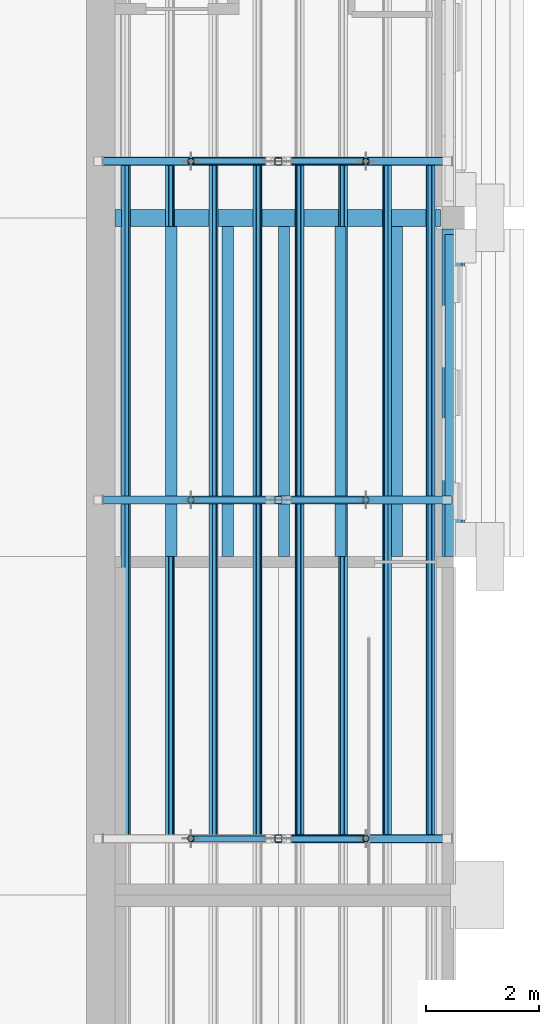
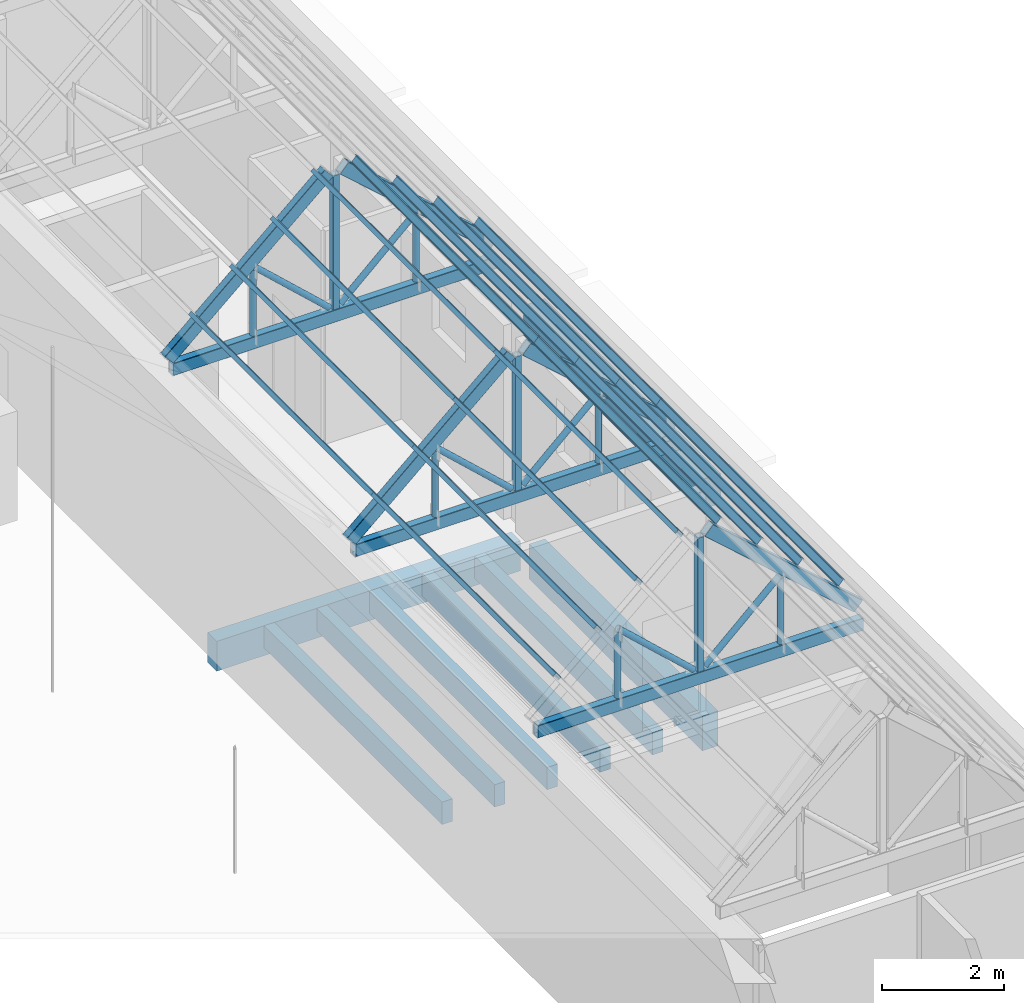
# One storey, part 44 of 118: 39 members, 8 beams.
"""IFC4 building model written with IfcOpenShell, lengths in metres."""

from ifc_helpers import new_model, si_unit, direction, frame, origin, origin_2d, place, context, subcontext, project, spatial, rectangle, hollow_rectangle, hollow_circle, i_section, extrude, material, material_profile, profile_set, type_object, element, save


model = new_model("IFC4")

# Units and contexts
model_context = context("Model", 3, precision=1e-05, world=origin(), true_north=direction((0.0, 1.0)))
body_context = subcontext(model_context, "Body", "Model", "MODEL_VIEW")
ifc_project = project(units=[si_unit("LENGTHUNIT", "METRE"), si_unit("AREAUNIT", "SQUARE_METRE"), si_unit("VOLUMEUNIT", "CUBIC_METRE"), si_unit("PLANEANGLEUNIT", "RADIAN"), si_unit("MASSUNIT", "GRAM", prefix="KILO")], contexts=[model_context])

# Site, building, storey
site_placement = place(None, origin())
site = spatial("IfcSite", under=ifc_project, at=site_placement, CompositionType="ELEMENT")
building_placement = place(site_placement, origin())
building = spatial("IfcBuilding", under=site, at=building_placement, Name="Saffron Lane Theatres", CompositionType="ELEMENT")
storey_placement = place(building_placement, frame((0.0, 0.0, 16.5)))
storey = spatial("IfcBuildingStorey", under=building, at=storey_placement, Name="L03", CompositionType="ELEMENT", Elevation=16.5)

# Beams
ifc_material_1 = material(Name="Concrete N40 (40 MPa)", Category="concrete")
ifc_material_profile_1 = material_profile(ifc_material_1, rectangle(XDim=0.300048828125, YDim=0.60009765625, at=origin_2d()))
ifc_profile_set_1 = profile_set([ifc_material_profile_1], Name="Concrete N40 (40 MPa)")
beam_type_1 = type_object("IfcBeamType", Name="RC-BEAM 300x600", PredefinedType="BEAM", material=ifc_profile_set_1)
beam_1_placement = place(storey_placement, frame((48.0, 78.0, -0.550048828125), z_axis=(1.0, 0.0, 0.0), x_axis=(0.0, 1.0, 0.0)))
element("IfcBeam", 1, at=beam_1_placement, inside=storey, type_object=beam_type_1, Name="beam-L03-x780-480", PredefinedType="BEAM", context=body_context, shape_type="SweptSolid", body=[
    extrude(rectangle(XDim=0.300048828125, YDim=0.60009765625, at=origin_2d()), origin(), (0.0, 0.0, 1.0), 5.77490234375),
])
ifc_material_2 = material(Name="Concrete N40 (40 MPa)", Category="concrete")
ifc_material_profile_2 = material_profile(ifc_material_2, rectangle(XDim=0.300048828125, YDim=0.699951171875, at=origin_2d()))
ifc_profile_set_2 = profile_set([ifc_material_profile_2], Name="Concrete N40 (40 MPa)")
beam_type_2 = type_object("IfcBeamType", Name="RC-BEAM 300x700", PredefinedType="BEAM", material=ifc_profile_set_2)
beam_2_placement = place(storey_placement, frame((54.0, 72.0, -0.60009765625), z_axis=(0.0, 1.0, 0.0), x_axis=(-1.0, 0.0, 0.0)))
element("IfcBeam", 2, at=beam_2_placement, inside=storey, type_object=beam_type_2, Name="beam-L03-y540-720", PredefinedType="BEAM", context=body_context, shape_type="SweptSolid", body=[
    extrude(rectangle(XDim=0.300048828125, YDim=0.699951171875, at=origin_2d()), origin(), (0.0, 0.0, 1.0), 5.699951171875),
])
ifc_material_3 = material(Name="Concrete N40 (40 MPa)", Category="concrete")
ifc_material_profile_3 = material_profile(ifc_material_3, rectangle(XDim=0.39990234375, YDim=0.60009765625, at=origin_2d()))
ifc_profile_set_3 = profile_set([ifc_material_profile_3], Name="Concrete N40 (40 MPa)")
beam_type_3 = type_object("IfcBeamType", Name="RC-BEAM 400x600", PredefinedType="BEAM", material=ifc_profile_set_3)
beam_3_placement = place(storey_placement, frame((54.0, 72.0, 4.199951171875), z_axis=(0.0, 1.0, 0.0), x_axis=(-1.0, 0.0, 0.0)))
element("IfcBeam", 3, at=beam_3_placement, inside=storey, type_object=beam_type_3, Name="beam-roof-side-y540-10", PredefinedType="BEAM", context=body_context, shape_type="SweptSolid", body=[
    extrude(rectangle(XDim=0.39990234375, YDim=0.60009765625, at=origin_2d()), origin(), (0.0, 0.0, 1.0), 5.800048828125),
])
ifc_material_4 = material(Name="Concrete N40 (40 MPa)", Category="concrete")
ifc_material_profile_4 = material_profile(ifc_material_4, rectangle(XDim=0.199951171875, YDim=0.449951171875, at=origin_2d()))
ifc_profile_set_4 = profile_set([ifc_material_profile_4], Name="Concrete N40 (40 MPa)")
beam_type_4 = type_object("IfcBeamType", Name="RC-JOIST 200x450", PredefinedType="JOIST", material=ifc_profile_set_4)
for number, where, z_axis, x_axis, name in (
    (4, (49.0, 72.0, -0.47509765625), (0.0, 1.0, 0.0), (-1.0, 0.0, 0.0), "joist-L03-y4900-720"),
    (5, (50.0, 72.0, -0.47509765625), (0.0, 1.0, 0.0), (-1.0, 0.0, 0.0), "joist-L03-y5000-720"),
    (6, (51.0, 72.0, -0.47509765625), (0.0, 1.0, 0.0), (-1.0, 0.0, 0.0), "joist-L03-y5100-720"),
    (7, (52.0, 72.0, -0.47509765625), (0.0, 1.0, 0.0), (-1.0, 0.0, 0.0), "joist-L03-y5200-720"),
    (8, (53.0, 72.0, -0.47509765625), (0.0, 1.0, 0.0), (-1.0, 0.0, 0.0), "joist-L03-y5300-720"),
):
    element("IfcBeam", number, at=place(storey_placement, frame(where, z_axis=z_axis, x_axis=x_axis)), inside=storey, type_object=beam_type_4, Name=name, PredefinedType="JOIST", context=body_context, shape_type="SweptSolid", body=[
        extrude(rectangle(XDim=0.199951171875, YDim=0.449951171875, at=origin_2d()), origin(), (0.0, 0.0, 1.0), 5.85009765625),
    ])

# Members
ifc_material_5 = material(Name="Steel Grade 350", Category="steel")
ifc_material_profile_5 = material_profile(ifc_material_5, hollow_rectangle(XDim=0.125, YDim=0.125, WallThickness=0.006103515625, InnerFilletRadius=0.0029296875, OuterFilletRadius=0.009033203125, at=origin_2d()))
ifc_profile_set_5 = profile_set([ifc_material_profile_5], Name="Steel Grade 350")
member_type_1 = type_object("IfcMemberType", Name="ST-STUDIO POST 125x125x6 SHS", PredefinedType="POST", material=ifc_profile_set_5)
for number, where, z_axis, x_axis, name in (
    (9, (50.89990234375, 67.0, 4.75), (0.0, 0.0, 1.0), (1.0, 0.0, 0.0), "SB2-P20"),
    (10, (50.89990234375, 73.0, 4.75), (0.0, 0.0, 1.0), (1.0, 0.0, 0.0), "SB2-P28"),
    (11, (50.89990234375, 79.0, 4.75), (0.0, 0.0, 1.0), (1.0, 0.0, 0.0), "SB2-P36"),
):
    element("IfcMember", number, at=place(storey_placement, frame(where, z_axis=z_axis, x_axis=x_axis)), inside=storey, type_object=member_type_1, Name=name, PredefinedType="POST", context=body_context, shape_type="SweptSolid", body=[
        extrude(hollow_rectangle(XDim=0.125, YDim=0.125, WallThickness=0.006103515625, InnerFilletRadius=0.0029296875, OuterFilletRadius=0.009033203125, at=origin_2d()), origin(), (0.0, 0.0, 1.0), 2.69287109375),
    ])
ifc_material_6 = material(Name="Steel Grade 350", Category="steel")
ifc_material_profile_6 = material_profile(ifc_material_6, i_section(OverallWidth=0.074951171875, OverallDepth=0.155029296875, WebThickness=0.006103515625, FlangeThickness=0.009521484375, FilletRadius=0.008056640625, at=origin_2d()))
ifc_profile_set_6 = profile_set([ifc_material_profile_6], Name="Steel Grade 350")
member_type_2 = type_object("IfcMemberType", Name="ST-STUDIO PURLIN 150UB18.0", PredefinedType="PURLIN", material=ifc_profile_set_6)
for number, where, z_axis, x_axis, name in (
    (12, (53.59716796875, 67.0, 5.544677734375), (0.0, 1.0, 0.0), (-0.748268687469, 0.0, 0.663395787863), "SB2-U59"),
    (13, (53.59716796875, 73.0, 5.544677734375), (0.0, 1.0, 0.0), (-0.748268687469, 0.0, 0.663395787863), "SB2-U60"),
    (14, (52.822265625, 67.0, 6.23193359375), (0.0, 1.0, 0.0), (-0.748268687469, 0.0, 0.663395787863), "SB2-U65"),
    (15, (52.822265625, 73.0, 6.23193359375), (0.0, 1.0, 0.0), (-0.748268687469, 0.0, 0.663395787863), "SB2-U66"),
    (16, (52.04736328125, 67.0, 6.9189453125), (0.0, 1.0, 0.0), (-0.748268687469, 0.0, 0.663395787863), "SB2-U71"),
    (17, (52.04736328125, 73.0, 6.9189453125), (0.0, 1.0, 0.0), (-0.748268687469, 0.0, 0.663395787863), "SB2-U72"),
    (18, (51.272216796875, 67.0, 7.60595703125), (0.0, 1.0, 0.0), (-0.748268687469, 0.0, 0.663395787863), "SB2-U77"),
    (19, (51.272216796875, 73.0, 7.60595703125), (0.0, 1.0, 0.0), (-0.748268687469, 0.0, 0.663395787863), "SB2-U78"),
    (20, (48.20263671875, 67.0, 5.544677734375), (0.0, 1.0, 0.0), (-0.748268687469, 0.0, -0.663395787863), "SB2-U83"),
    (21, (48.20263671875, 73.0, 5.544677734375), (0.0, 1.0, 0.0), (-0.748268687469, 0.0, -0.663395787863), "SB2-U84"),
    (22, (48.977783203125, 67.0, 6.23193359375), (0.0, 1.0, 0.0), (-0.748268687469, 0.0, -0.663395787863), "SB2-U89"),
    (23, (48.977783203125, 73.0, 6.23193359375), (0.0, 1.0, 0.0), (-0.748268687469, 0.0, -0.663395787863), "SB2-U90"),
    (24, (49.752685546875, 67.0, 6.9189453125), (0.0, 1.0, 0.0), (-0.748268687469, 0.0, -0.663395787863), "SB2-U95"),
    (25, (49.752685546875, 73.0, 6.9189453125), (0.0, 1.0, 0.0), (-0.748268687469, 0.0, -0.663395787863), "SB2-U96"),
    (26, (50.52783203125, 67.0, 7.60595703125), (0.0, 1.0, 0.0), (-0.748268687469, 0.0, -0.663395787863), "SB2-U101"),
    (27, (50.52783203125, 73.0, 7.60595703125), (0.0, 1.0, 0.0), (-0.748268687469, 0.0, -0.663395787863), "SB2-U102"),
):
    element("IfcMember", number, at=place(storey_placement, frame(where, z_axis=z_axis, x_axis=x_axis)), inside=storey, type_object=member_type_2, Name=name, PredefinedType="PURLIN", context=body_context, shape_type="SweptSolid", body=[
        extrude(i_section(OverallWidth=0.074951171875, OverallDepth=0.155029296875, WebThickness=0.006103515625, FlangeThickness=0.009521484375, FilletRadius=0.008056640625, at=origin_2d()), origin(), (0.0, 0.0, 1.0), 6.0),
    ])
ifc_material_7 = material(Name="Steel Grade 350", Category="steel")
ifc_material_profile_7 = material_profile(ifc_material_7, hollow_rectangle(XDim=0.14990234375, YDim=0.25, WallThickness=0.009033203125, InnerFilletRadius=0.00439453125, OuterFilletRadius=0.013427734375, at=origin_2d()))
ifc_profile_set_7 = profile_set([ifc_material_profile_7], Name="Steel Grade 350")
member_type_3 = type_object("IfcMemberType", Name="ST-STUDIO TRUSS CHORD 250x150x9 RHS", PredefinedType="CHORD", material=ifc_profile_set_7)
member_1_placement = place(storey_placement, frame((53.97998046875, 67.0, 4.625), z_axis=(-1.0, 0.0, 0.0), x_axis=(0.0, -1.0, 0.0)))
element("IfcMember", 28, at=member_1_placement, inside=storey, type_object=member_type_3, Name="SB2-T17", PredefinedType="CHORD", context=body_context, shape_type="SweptSolid", body=[
    extrude(hollow_rectangle(XDim=0.14990234375, YDim=0.25, WallThickness=0.009033203125, InnerFilletRadius=0.00439453125, OuterFilletRadius=0.013427734375, at=origin_2d()), origin(), (0.0, 0.0, 1.0), 6.179931640625),
])
member_2_placement = place(storey_placement, frame((53.886962890625, 67.0, 5.01708984375), z_axis=(-0.748231613734, 0.0, 0.663437602348), x_axis=(0.0, -1.0, 0.0)))
element("IfcMember", 29, at=member_2_placement, inside=storey, type_object=member_type_3, Name="SB2-C18", PredefinedType="CHORD", context=body_context, shape_type="SweptSolid", body=[
    extrude(hollow_rectangle(XDim=0.14990234375, YDim=0.25, WallThickness=0.009033203125, InnerFilletRadius=0.00439453125, OuterFilletRadius=0.013427734375, at=origin_2d()), origin(), (0.0, 0.0, 1.0), 3.797607421875),
])
member_3_placement = place(storey_placement, frame((53.97998046875, 73.0, 4.625), z_axis=(-1.0, 0.0, 0.0), x_axis=(0.0, -1.0, 0.0)))
element("IfcMember", 30, at=member_3_placement, inside=storey, type_object=member_type_3, Name="SB2-T25", PredefinedType="CHORD", context=body_context, shape_type="SweptSolid", body=[
    extrude(hollow_rectangle(XDim=0.14990234375, YDim=0.25, WallThickness=0.009033203125, InnerFilletRadius=0.00439453125, OuterFilletRadius=0.013427734375, at=origin_2d()), origin(), (0.0, 0.0, 1.0), 6.179931640625),
])
member_4_placement = place(storey_placement, frame((53.886962890625, 73.0, 5.01708984375), z_axis=(-0.748231613734, 0.0, 0.663437602348), x_axis=(0.0, -1.0, 0.0)))
element("IfcMember", 31, at=member_4_placement, inside=storey, type_object=member_type_3, Name="SB2-C26", PredefinedType="CHORD", context=body_context, shape_type="SweptSolid", body=[
    extrude(hollow_rectangle(XDim=0.14990234375, YDim=0.25, WallThickness=0.009033203125, InnerFilletRadius=0.00439453125, OuterFilletRadius=0.013427734375, at=origin_2d()), origin(), (0.0, 0.0, 1.0), 3.797607421875),
])
member_5_placement = place(storey_placement, frame((47.717041015625, 73.0, 4.843505859375), z_axis=(0.748261446236, 0.0, 0.663403955428), x_axis=(0.0, 1.0, 0.0)))
element("IfcMember", 32, at=member_5_placement, inside=storey, type_object=member_type_3, Name="SB2-C27", PredefinedType="CHORD", context=body_context, shape_type="SweptSolid", body=[
    extrude(hollow_rectangle(XDim=0.14990234375, YDim=0.25, WallThickness=0.009033203125, InnerFilletRadius=0.00439453125, OuterFilletRadius=0.013427734375, at=origin_2d()), origin(), (0.0, 0.0, 1.0), 4.0595703125),
])
member_6_placement = place(storey_placement, frame((53.97998046875, 79.0, 4.625), z_axis=(-1.0, 0.0, 0.0), x_axis=(0.0, -1.0, 0.0)))
element("IfcMember", 33, at=member_6_placement, inside=storey, type_object=member_type_3, Name="SB2-T33", PredefinedType="CHORD", context=body_context, shape_type="SweptSolid", body=[
    extrude(hollow_rectangle(XDim=0.14990234375, YDim=0.25, WallThickness=0.009033203125, InnerFilletRadius=0.00439453125, OuterFilletRadius=0.013427734375, at=origin_2d()), origin(), (0.0, 0.0, 1.0), 6.179931640625),
])
member_7_placement = place(storey_placement, frame((53.886962890625, 79.0, 5.01708984375), z_axis=(-0.748231613734, 0.0, 0.663437602348), x_axis=(0.0, -1.0, 0.0)))
element("IfcMember", 34, at=member_7_placement, inside=storey, type_object=member_type_3, Name="SB2-C34", PredefinedType="CHORD", context=body_context, shape_type="SweptSolid", body=[
    extrude(hollow_rectangle(XDim=0.14990234375, YDim=0.25, WallThickness=0.009033203125, InnerFilletRadius=0.00439453125, OuterFilletRadius=0.013427734375, at=origin_2d()), origin(), (0.0, 0.0, 1.0), 3.797607421875),
])
member_8_placement = place(storey_placement, frame((47.717041015625, 79.0, 4.843505859375), z_axis=(0.748261446236, 0.0, 0.663403955428), x_axis=(0.0, 1.0, 0.0)))
element("IfcMember", 35, at=member_8_placement, inside=storey, type_object=member_type_3, Name="SB2-C35", PredefinedType="CHORD", context=body_context, shape_type="SweptSolid", body=[
    extrude(hollow_rectangle(XDim=0.14990234375, YDim=0.25, WallThickness=0.009033203125, InnerFilletRadius=0.00439453125, OuterFilletRadius=0.013427734375, at=origin_2d()), origin(), (0.0, 0.0, 1.0), 4.0595703125),
])
ifc_material_8 = material(Name="Steel Grade 350", Category="steel")
ifc_material_profile_8 = material_profile(ifc_material_8, hollow_circle(Radius=0.05712890625, WallThickness=0.006103515625, at=origin_2d()))
ifc_profile_set_8 = profile_set([ifc_material_profile_8], Name="Steel Grade 350")
member_type_4 = type_object("IfcMemberType", Name="ST-STUDIO TRUSS WEB 114.3x6.0 CHS", PredefinedType="BRACE", material=ifc_profile_set_8)
for number, where, z_axis, x_axis, name in (
    (36, (52.449951171875, 67.0, 4.75), (0.0, 0.0, 1.0), (1.0, 0.0, 0.0), "SB2-W21"),
    (37, (49.35009765625, 67.0, 4.75), (0.0, 0.0, 1.0), (1.0, 0.0, 0.0), "SB2-W22"),
):
    element("IfcMember", number, at=place(storey_placement, frame(where, z_axis=z_axis, x_axis=x_axis)), inside=storey, type_object=member_type_4, Name=name, PredefinedType="BRACE", context=body_context, shape_type="SweptSolid", body=[
        extrude(hollow_circle(Radius=0.05712890625, WallThickness=0.006103515625, at=origin_2d()), origin(), (0.0, 0.0, 1.0), 1.323486328125),
    ])
for number, where, z_axis, x_axis, name in (
    (38, (51.008056640625, 67.0, 4.7919921875), (0.734492556675, 0.0, 0.678616743228), (0.0, 1.0, 0.0), "SB2-W23"),
    (39, (50.7919921875, 67.0, 4.7919921875), (-0.734492556675, 0.0, 0.678616743228), (0.0, -1.0, 0.0), "SB2-W24"),
):
    element("IfcMember", number, at=place(storey_placement, frame(where, z_axis=z_axis, x_axis=x_axis)), inside=storey, type_object=member_type_4, Name=name, PredefinedType="BRACE", context=body_context, shape_type="SweptSolid", body=[
        extrude(hollow_circle(Radius=0.05712890625, WallThickness=0.006103515625, at=origin_2d()), origin(), (0.0, 0.0, 1.0), 1.95751953125),
    ])
for number, where, z_axis, x_axis, name in (
    (40, (52.449951171875, 73.0, 4.75), (0.0, 0.0, 1.0), (1.0, 0.0, 0.0), "SB2-W29"),
    (41, (49.35009765625, 73.0, 4.75), (0.0, 0.0, 1.0), (1.0, 0.0, 0.0), "SB2-W30"),
):
    element("IfcMember", number, at=place(storey_placement, frame(where, z_axis=z_axis, x_axis=x_axis)), inside=storey, type_object=member_type_4, Name=name, PredefinedType="BRACE", context=body_context, shape_type="SweptSolid", body=[
        extrude(hollow_circle(Radius=0.05712890625, WallThickness=0.006103515625, at=origin_2d()), origin(), (0.0, 0.0, 1.0), 1.323486328125),
    ])
for number, where, z_axis, x_axis, name in (
    (42, (51.008056640625, 73.0, 4.7919921875), (0.734492556675, 0.0, 0.678616743228), (0.0, 1.0, 0.0), "SB2-W31"),
    (43, (50.7919921875, 73.0, 4.7919921875), (-0.734492556675, 0.0, 0.678616743228), (0.0, -1.0, 0.0), "SB2-W32"),
):
    element("IfcMember", number, at=place(storey_placement, frame(where, z_axis=z_axis, x_axis=x_axis)), inside=storey, type_object=member_type_4, Name=name, PredefinedType="BRACE", context=body_context, shape_type="SweptSolid", body=[
        extrude(hollow_circle(Radius=0.05712890625, WallThickness=0.006103515625, at=origin_2d()), origin(), (0.0, 0.0, 1.0), 1.95751953125),
    ])
for number, where, z_axis, x_axis, name in (
    (44, (52.449951171875, 79.0, 4.75), (0.0, 0.0, 1.0), (1.0, 0.0, 0.0), "SB2-W37"),
    (45, (49.35009765625, 79.0, 4.75), (0.0, 0.0, 1.0), (1.0, 0.0, 0.0), "SB2-W38"),
):
    element("IfcMember", number, at=place(storey_placement, frame(where, z_axis=z_axis, x_axis=x_axis)), inside=storey, type_object=member_type_4, Name=name, PredefinedType="BRACE", context=body_context, shape_type="SweptSolid", body=[
        extrude(hollow_circle(Radius=0.05712890625, WallThickness=0.006103515625, at=origin_2d()), origin(), (0.0, 0.0, 1.0), 1.323486328125),
    ])
for number, where, z_axis, x_axis, name in (
    (46, (51.008056640625, 79.0, 4.7919921875), (0.734492556675, 0.0, 0.678616743228), (0.0, 1.0, 0.0), "SB2-W39"),
    (47, (50.7919921875, 79.0, 4.7919921875), (-0.734492556675, 0.0, 0.678616743228), (0.0, -1.0, 0.0), "SB2-W40"),
):
    element("IfcMember", number, at=place(storey_placement, frame(where, z_axis=z_axis, x_axis=x_axis)), inside=storey, type_object=member_type_4, Name=name, PredefinedType="BRACE", context=body_context, shape_type="SweptSolid", body=[
        extrude(hollow_circle(Radius=0.05712890625, WallThickness=0.006103515625, at=origin_2d()), origin(), (0.0, 0.0, 1.0), 1.95751953125),
    ])

save(model, "model.ifc")
